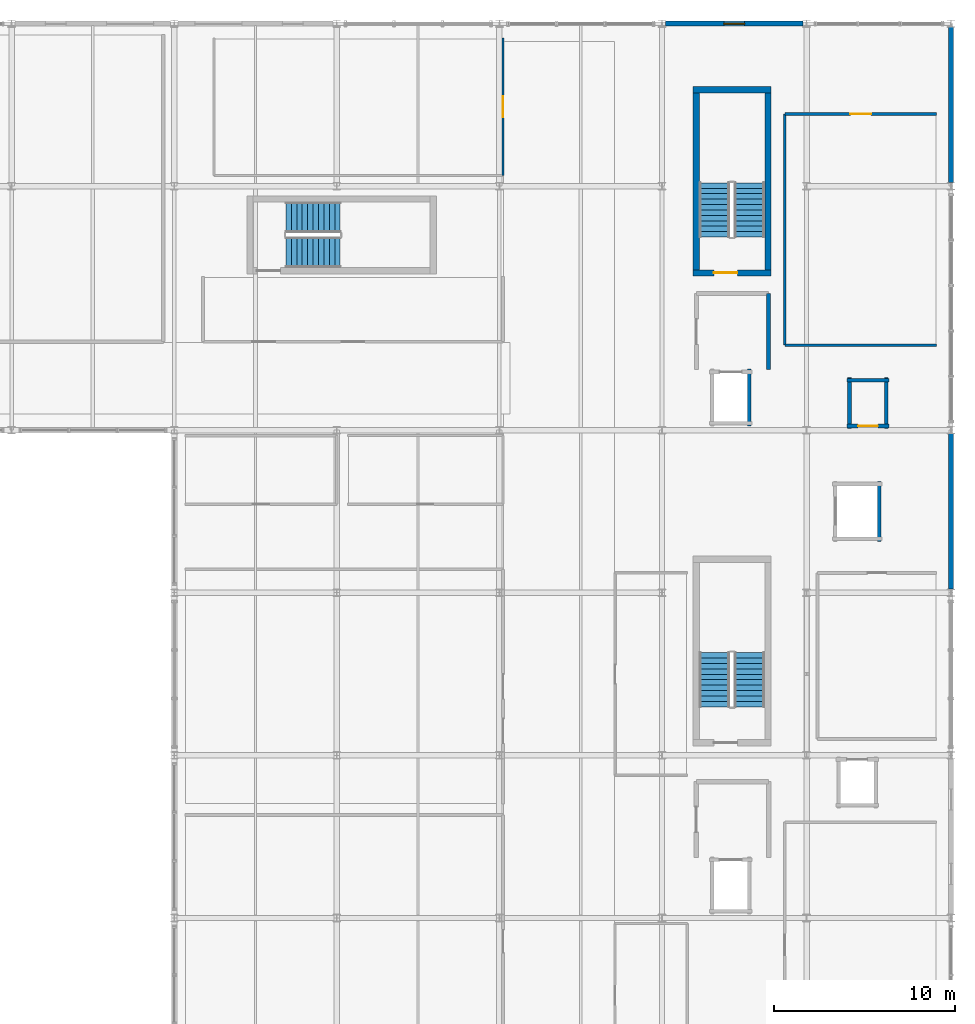
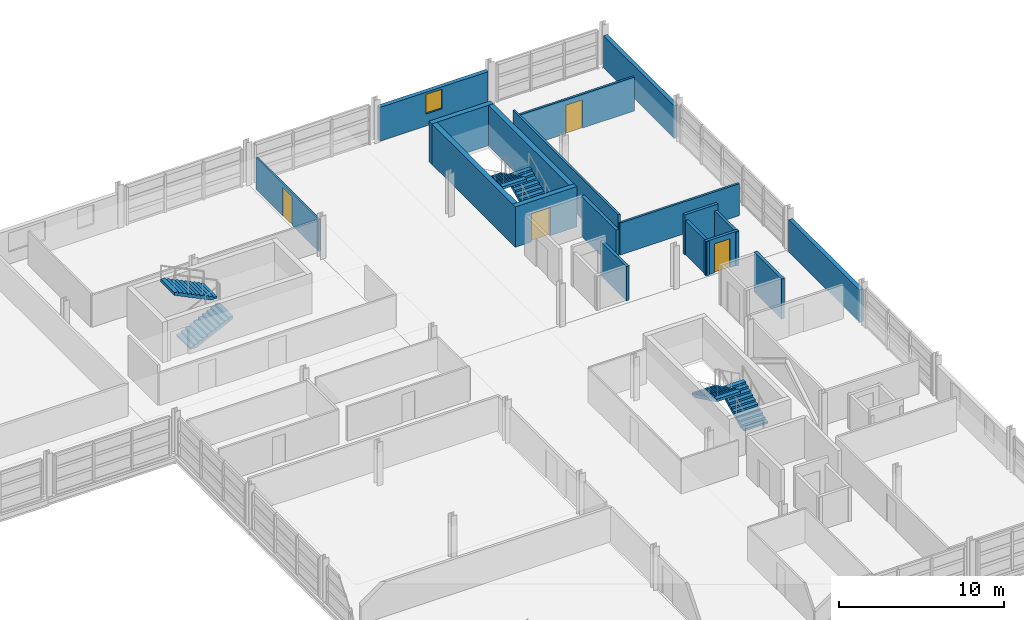
# One storey, part 80 of 86: 18 walls, 6 stair flights, 4 doors, 1 window, 5 openings, 3 elements without a shape of their own.
"""IFC4 building model written with IfcOpenShell, lengths in metres."""

from ifc_helpers import new_model, si_unit, direction, frame, frame_2d, origin, place, context, subcontext, project, spatial, polyline, rectangle, outline, extrude, material, layer, layer_set, type_object, element, fill, aggregate, save


model = new_model("IFC4")

# Units and contexts
model_context = context("Model", 3, precision=1e-05, world=origin(), true_north=direction((0.0, 1.0)))
body_context = subcontext(model_context, "Body", "Model", "MODEL_VIEW")
ifc_project = project(units=[si_unit("LENGTHUNIT", "METRE"), si_unit("AREAUNIT", "SQUARE_METRE"), si_unit("VOLUMEUNIT", "CUBIC_METRE"), si_unit("PLANEANGLEUNIT", "RADIAN"), si_unit("MASSUNIT", "GRAM", prefix="KILO")], contexts=[model_context])

# Site, building, storey
site_placement = place(None, origin())
site = spatial("IfcSite", under=ifc_project, at=site_placement, CompositionType="ELEMENT")
building_placement = place(site_placement, origin())
building = spatial("IfcBuilding", under=site, at=building_placement, Name="Chuanluo Vaults Station", CompositionType="ELEMENT")
storey_placement = place(building_placement, frame((0.0, 0.0, 14.39990234375)))
storey = spatial("IfcBuildingStorey", under=building, at=storey_placement, Name="L03", CompositionType="ELEMENT", Elevation=14.39990234375)

# Walls
ifc_material_1 = material(Name="Concrete C50", Category="concrete")
ifc_layer_1 = layer(ifc_material_1, 0.35009765625)
ifc_layer_set_1 = layer_set([ifc_layer_1], Name="Concrete C50")
wall_type_1 = type_object("IfcWallType", Name="WL-COR-350", PredefinedType="SHEAR", material=ifc_layer_set_1)
for number, where, z_axis, x_axis, name in (
    (1, (177.862548828125, 112.02490234375, 0.0), (0.0, 0.0, 1.0), (0.0, 1.0, 0.0), "Core K2 left shear wall"),
    (2, (173.892578125, 122.5224609375, 0.0), (0.0, 0.0, 1.0), (0.0, -1.0, 0.0), "Core K2 right shear wall"),
):
    element("IfcWall", number, at=place(storey_placement, frame(where, z_axis=z_axis, x_axis=x_axis)), inside=storey, type_object=wall_type_1, Name=name, PredefinedType="SHEAR", context=body_context, shape_type="SweptSolid", body=[
        extrude(rectangle(XDim=10.49755859375, YDim=0.35009765625, at=frame_2d((5.248779296875, 0.0))), origin(), (0.0, 0.0, 1.0), 3.0),
    ])
wall_1_placement = place(storey_placement, frame((178.03759765625, 122.347412109375, 0.0), z_axis=(0.0, 0.0, 1.0), x_axis=(-1.0, 0.0, 0.0)))
element("IfcWall", 3, at=wall_1_placement, inside=storey, type_object=wall_type_1, Name="Core K2 far shear wall", PredefinedType="SHEAR", context=body_context, shape_type="SweptSolid", body=[
    extrude(rectangle(XDim=4.320068359375, YDim=0.35009765625, at=frame_2d((2.16015625, 0.0))), origin(), (0.0, 0.0, 1.0), 3.0),
])

# Wall, opening, door
wall_2_placement = place(storey_placement, frame((173.717529296875, 112.199951171875, 0.0), z_axis=(0.0, 0.0, 1.0), x_axis=(1.0, 0.0, 0.0)))
wall_2 = element("IfcWall", 4, at=wall_2_placement, inside=storey, type_object=wall_type_1, Name="Core K2 near shear wall", PredefinedType="SHEAR", context=body_context, shape_type="SweptSolid", body=[
    extrude(rectangle(XDim=4.320068359375, YDim=0.35009765625, at=frame_2d((2.16015625, 0.0))), origin(), (0.0, 0.0, 1.0), 3.0),
])
opening_1_placement = place(wall_2_placement, frame((1.14990234375, 0.0, 0.0)))
opening_1 = element("IfcOpeningElement", 5, at=opening_1_placement, cuts=wall_2, Name="Opening FD-05", PredefinedType="OPENING", context=body_context, shape_type="SweptSolid", body=[
    extrude(rectangle(XDim=1.300048828125, YDim=2.10009765625, at=frame_2d((0.64990234375, 1.050048828125))), frame((0.0, 0.18505, 0.0), z_axis=(0.0, -1.0, 0.0), x_axis=(1.0, 0.0, 0.0)), (0.0, 0.0, 1.0), 0.3701),
])
ifc_material_2 = material(Name="Fire-rated steel leaf", Category="steel")
door_type_1 = type_object("IfcDoorType", Name="DR-FIR-1300x2100", OperationType="NOTDEFINED", PredefinedType="DOOR", material=ifc_material_2)
door_1_placement = place(opening_1_placement, origin())
door_1 = element("IfcDoor", 6, at=door_1_placement, inside=storey, type_object=door_type_1, Name="D-069 Stair ST-02 fire door", OperationType="SINGLE_SWING_RIGHT", OverallHeight=2.10009765625, OverallWidth=1.300048828125, PredefinedType="DOOR", context=body_context, shape_type="SweptSolid", body=[
    extrude(rectangle(XDim=1.300048828125, YDim=2.10009765625, at=frame_2d((0.64990234375, 1.050048828125))), frame((0.0, 0.02490234375, 0.0), z_axis=(0.0, -1.0, 0.0), x_axis=(1.0, 0.0, 0.0)), (0.0, 0.0, 1.0), 0.050048828125),
])
fill(opening_1, door_1)

# Wall, opening, window
ifc_material_3 = material(Name="Concrete C40", Category="concrete")
ifc_layer_2 = layer(ifc_material_3, 0.280029296875)
ifc_layer_set_2 = layer_set([ifc_layer_2], Name="Concrete C40")
wall_type_2 = type_object("IfcWallType", Name="WL-EXT-280", PredefinedType="SOLIDWALL", material=ifc_layer_set_2)
wall_3_placement = place(storey_placement, frame((172.199951171875, 126.0, 0.0), z_axis=(0.0, 0.0, 1.0), x_axis=(1.0, 0.0, 0.0)))
wall_3 = element("IfcWall", 7, at=wall_3_placement, inside=storey, type_object=wall_type_2, Name="L03 exterior punched wall 19", PredefinedType="SOLIDWALL", context=body_context, shape_type="SweptSolid", body=[
    extrude(rectangle(XDim=7.60009765625, YDim=0.280029296875, at=frame_2d((3.800048828125, 0.0))), origin(), (0.0, 0.0, 1.0), 2.51513671875),
])
opening_2_placement = place(wall_3_placement, frame((3.22509765625, 0.0, 0.89990234375)))
opening_2 = element("IfcOpeningElement", 8, at=opening_2_placement, cuts=wall_3, Name="Opening W-49", PredefinedType="OPENING", context=body_context, shape_type="SweptSolid", body=[
    extrude(rectangle(XDim=1.14990234375, YDim=1.449951171875, at=frame_2d((0.574951171875, 0.72509765625))), frame((0.0, 0.15014, 0.0), z_axis=(0.0, -1.0, 0.0), x_axis=(1.0, 0.0, 0.0)), (0.0, 0.0, 1.0), 0.30003),
])
ifc_material_4 = material(Name="Double-silver Low-E laminated glass", Category="glass")
window_type = type_object("IfcWindowType", Name="WN-OPS-1150x1450", PartitioningType="SINGLE_PANEL", PredefinedType="WINDOW", material=ifc_material_4)
window_placement = place(opening_2_placement, origin())
window = element("IfcWindow", 9, at=window_placement, inside=storey, type_object=window_type, Name="W-095 L03 facade window", OverallHeight=1.449951171875, OverallWidth=1.14990234375, PartitioningType="SINGLE_PANEL", PredefinedType="WINDOW", context=body_context, shape_type="SweptSolid", body=[
    extrude(rectangle(XDim=1.14990234375, YDim=1.449951171875, at=frame_2d((0.574951171875, 0.72509765625))), frame((0.0, 0.030029296875, 0.0), z_axis=(0.0, -1.0, 0.0), x_axis=(1.0, 0.0, 0.0)), (0.0, 0.0, 1.0), 0.06005859375),
])
fill(opening_2, window)

# Walls
for number, where, z_axis, x_axis, name in (
    (10, (188.0, 103.300048828125, 0.0), (0.0, 0.0, 1.0), (0.0, -1.0, 0.0), "L03 exterior punched wall 21"),
    (11, (188.0, 125.800048828125, 0.0), (0.0, 0.0, 1.0), (0.0, -1.0, 0.0), "L03 exterior punched wall 22"),
):
    element("IfcWall", number, at=place(storey_placement, frame(where, z_axis=z_axis, x_axis=x_axis)), inside=storey, type_object=wall_type_2, Name=name, PredefinedType="SOLIDWALL", context=body_context, shape_type="SweptSolid", body=[
        extrude(rectangle(XDim=8.60009765625, YDim=0.280029296875, at=frame_2d((4.300048828125, 0.0))), origin(), (0.0, 0.0, 1.0), 2.39501953125),
    ])
ifc_material_5 = material(Name="Concrete C40", Category="concrete")
ifc_layer_3 = layer(ifc_material_5, 0.219970703125)
ifc_layer_set_3 = layer_set([ifc_layer_3], Name="Concrete C40")
wall_type_3 = type_object("IfcWallType", Name="WL-FIR-220", PredefinedType="SOLIDWALL", material=ifc_layer_set_3)
wall_4_placement = place(storey_placement, frame((177.89990234375, 111.050048828125, 0.0), z_axis=(0.0, 0.0, 1.0), x_axis=(0.0, -1.0, 0.0)))
element("IfcWall", 12, at=wall_4_placement, inside=storey, type_object=wall_type_3, Name="L03-FFL-K2 Firefighting Lift Lobby FFL-02 L03 E partition", PredefinedType="SOLIDWALL", context=body_context, shape_type="SweptSolid", body=[
    extrude(rectangle(XDim=4.199951171875, YDim=0.219970703125, at=frame_2d((2.10009765625, 0.0))), origin(), (0.0, 0.0, 1.0), 2.97509765625),
])

# Wall, opening, door
ifc_material_6 = material(Name="Masonry blockwork M10", Category="masonry")
ifc_layer_4 = layer(ifc_material_6, 0.1201171875)
ifc_layer_set_4 = layer_set([ifc_layer_4], Name="Masonry blockwork M10")
wall_type_4 = type_object("IfcWallType", Name="WL-PRT-120", PredefinedType="PARTITIONING", material=ifc_layer_set_4)
wall_5_placement = place(storey_placement, frame((163.199951171875, 125.199951171875, 0.0), z_axis=(0.0, 0.0, 1.0), x_axis=(0.0, -1.0, 0.0)))
wall_5 = element("IfcWall", 13, at=wall_5_placement, inside=storey, type_object=wall_type_4, Name="L03-21 North Administration Annex E partition", PredefinedType="PARTITIONING", context=body_context, shape_type="SweptSolid", body=[
    extrude(rectangle(XDim=7.599853515625, YDim=0.1201171875, at=frame_2d((3.7998046875, 0.0))), origin(), (0.0, 0.0, 1.0), 2.375),
])
opening_3_placement = place(wall_5_placement, frame((3.22509765625, 0.0, 0.0)))
opening_3 = element("IfcOpeningElement", 14, at=opening_3_placement, cuts=wall_5, Name="Opening D-I06", PredefinedType="OPENING", context=body_context, shape_type="SweptSolid", body=[
    extrude(rectangle(XDim=1.14990234375, YDim=2.10009765625, at=frame_2d((0.574951171875, 1.050048828125))), frame((0.0, 0.07006, 0.0), z_axis=(0.0, -1.0, 0.0), x_axis=(1.0, 0.0, 0.0)), (0.0, 0.0, 1.0), 0.14012),
])
ifc_material_7 = material(Name="Anodised aluminium 6063-T6", Category="aluminium")
door_type_2 = type_object("IfcDoorType", Name="DR-INT-1150x2100", OperationType="NOTDEFINED", PredefinedType="DOOR", material=ifc_material_7)
door_2_placement = place(opening_3_placement, origin())
door_2 = element("IfcDoor", 15, at=door_2_placement, inside=storey, type_object=door_type_2, Name="D-236 North Administration Annex door", OperationType="SINGLE_SWING_LEFT", OverallHeight=2.10009765625, OverallWidth=1.14990234375, PredefinedType="DOOR", context=body_context, shape_type="SweptSolid", body=[
    extrude(rectangle(XDim=1.14990234375, YDim=2.10009765625, at=frame_2d((0.574951171875, 1.050048828125))), frame((0.0, 0.02490234375, 0.0), z_axis=(0.0, -1.0, 0.0), x_axis=(1.0, 0.0, 0.0)), (0.0, 0.0, 1.0), 0.050048828125),
])
fill(opening_3, door_2)

# Wall
ifc_material_8 = material(Name="Autoclaved aerated concrete blockwork MU10", Category="masonry")
ifc_layer_5 = layer(ifc_material_8, 0.14990234375)
ifc_layer_set_5 = layer_set([ifc_layer_5], Name="Autoclaved aerated concrete blockwork MU10")
wall_type_5 = type_object("IfcWallType", Name="WL-PRT-150", PredefinedType="PARTITIONING", material=ifc_layer_set_5)
wall_6_placement = place(storey_placement, frame((187.199951171875, 108.199951171875, 0.0), z_axis=(0.0, 0.0, 1.0), x_axis=(-1.0, 0.0, 0.0)))
element("IfcWall", 16, at=wall_6_placement, inside=storey, type_object=wall_type_5, Name="L03-19 East Signalling Office S partition", PredefinedType="PARTITIONING", context=body_context, shape_type="SweptSolid", body=[
    extrude(rectangle(XDim=8.39990234375, YDim=0.14990234375, at=frame_2d((4.199951171875, 0.0))), origin(), (0.0, 0.0, 1.0), 2.375),
])

# Wall, opening, door
wall_7_placement = place(storey_placement, frame((178.800048828125, 121.0, 0.0), z_axis=(0.0, 0.0, 1.0), x_axis=(1.0, 0.0, 0.0)))
wall_7 = element("IfcWall", 17, at=wall_7_placement, inside=storey, type_object=wall_type_5, Name="L03-19 East Signalling Office N partition", PredefinedType="PARTITIONING", context=body_context, shape_type="SweptSolid", body=[
    extrude(rectangle(XDim=8.39990234375, YDim=0.14990234375, at=frame_2d((4.199951171875, 0.0))), origin(), (0.0, 0.0, 1.0), 2.51513671875),
])
opening_4_placement = place(wall_7_placement, frame((3.625, 0.0, 0.0)))
opening_4 = element("IfcOpeningElement", 18, at=opening_4_placement, cuts=wall_7, Name="Opening D-I06", PredefinedType="OPENING", context=body_context, shape_type="SweptSolid", body=[
    extrude(rectangle(XDim=1.14990234375, YDim=2.10009765625, at=frame_2d((0.574951171875, 1.050048828125))), frame((0.0, 0.08495, 0.0), z_axis=(0.0, -1.0, 0.0), x_axis=(1.0, 0.0, 0.0)), (0.0, 0.0, 1.0), 0.1699),
])
door_3_placement = place(opening_4_placement, origin())
door_3 = element("IfcDoor", 19, at=door_3_placement, inside=storey, type_object=door_type_2, Name="D-234 East Signalling Office door", OperationType="SINGLE_SWING_LEFT", OverallHeight=2.10009765625, OverallWidth=1.14990234375, PredefinedType="DOOR", context=body_context, shape_type="SweptSolid", body=[
    extrude(rectangle(XDim=1.14990234375, YDim=2.10009765625, at=frame_2d((0.574951171875, 1.050048828125))), frame((0.0, 0.02490234375, 0.0), z_axis=(0.0, -1.0, 0.0), x_axis=(1.0, 0.0, 0.0)), (0.0, 0.0, 1.0), 0.050048828125),
])
fill(opening_4, door_3)

# Walls
wall_8_placement = place(storey_placement, frame((178.800048828125, 108.199951171875, 0.0), z_axis=(0.0, 0.0, 1.0), x_axis=(0.0, 1.0, 0.0)))
element("IfcWall", 20, at=wall_8_placement, inside=storey, type_object=wall_type_5, Name="L03-19 East Signalling Office W partition", PredefinedType="PARTITIONING", context=body_context, shape_type="SweptSolid", body=[
    extrude(rectangle(XDim=12.800048828125, YDim=0.14990234375, at=frame_2d((6.39990234375, 0.0))), origin(), (0.0, 0.0, 1.0), 2.97509765625),
])
ifc_material_9 = material(Name="Concrete C40", Category="concrete")
ifc_layer_6 = layer(ifc_material_9, 0.199951171875)
ifc_layer_set_6 = layer_set([ifc_layer_6], Name="Concrete C40")
wall_type_6 = type_object("IfcWallType", Name="WL-SHF-200", PredefinedType="SOLIDWALL", material=ifc_layer_set_6)
wall_9_placement = place(storey_placement, frame((176.820068359375, 103.72998046875, 0.0), z_axis=(0.0, 0.0, 1.0), x_axis=(0.0, 1.0, 0.0)))
element("IfcWall", 21, at=wall_9_placement, inside=storey, type_object=wall_type_6, Name="Lift FFL-02 shaft wall L03 +X", PredefinedType="SOLIDWALL", context=body_context, shape_type="SweptSolid", body=[
    extrude(rectangle(XDim=3.14013671875, YDim=0.199951171875, at=frame_2d((1.570068359375, 0.0))), origin(), (0.0, 0.0, 1.0), 2.53515625),
])

# Wall, opening, door
wall_10_placement = place(storey_placement, frame((182.22998046875, 103.72998046875, 0.0), z_axis=(0.0, 0.0, 1.0), x_axis=(1.0, 0.0, 0.0)))
wall_10 = element("IfcWall", 22, at=wall_10_placement, inside=storey, type_object=wall_type_6, Name="Lift EL-04 shaft wall L03 -Y", PredefinedType="SOLIDWALL", context=body_context, shape_type="SweptSolid", body=[
    extrude(rectangle(XDim=2.340087890625, YDim=0.199951171875, at=frame_2d((1.169921875, 0.0))), origin(), (0.0, 0.0, 1.0), 2.53515625),
])
opening_5_placement = place(wall_10_placement, frame((0.6201171875, 0.0, 0.0)))
opening_5 = element("IfcOpeningElement", 23, at=opening_5_placement, cuts=wall_10, Name="Opening LD-01", PredefinedType="OPENING", context=body_context, shape_type="SweptSolid", body=[
    extrude(rectangle(XDim=1.10009765625, YDim=2.14990234375, at=frame_2d((0.550048828125, 1.074951171875))), frame((0.0, 0.1101, 0.0), z_axis=(0.0, -1.0, 0.0), x_axis=(1.0, 0.0, 0.0)), (0.0, 0.0, 1.0), 0.21995),
])
ifc_material_10 = material(Name="Brushed stainless steel 304", Category="steel")
door_type_3 = type_object("IfcDoorType", Name="DR-LFT-1100x2150", OperationType="SLIDING_TO_LEFT", PredefinedType="DOOR", material=ifc_material_10)
door_4_placement = place(opening_5_placement, origin())
door_4 = element("IfcDoor", 24, at=door_4_placement, inside=storey, type_object=door_type_3, Name="LD-EL-04-05 Lift EL-04 sliding landing door L03", OperationType="SLIDING_TO_LEFT", OverallHeight=2.14990234375, OverallWidth=1.10009765625, PredefinedType="DOOR", context=body_context, shape_type="SweptSolid", body=[
    extrude(rectangle(XDim=1.10009765625, YDim=2.14990234375, at=frame_2d((0.550048828125, 1.074951171875))), frame((0.0, 0.02490234375, 0.0), z_axis=(0.0, -1.0, 0.0), x_axis=(1.0, 0.0, 0.0)), (0.0, 0.0, 1.0), 0.050048828125),
])
fill(opening_5, door_4)

# Walls
wall_11_placement = place(storey_placement, frame((184.570068359375, 106.27001953125, 0.0), z_axis=(0.0, 0.0, 1.0), x_axis=(-1.0, 0.0, 0.0)))
element("IfcWall", 25, at=wall_11_placement, inside=storey, type_object=wall_type_6, Name="Lift EL-04 shaft wall L03 +Y", PredefinedType="SOLIDWALL", context=body_context, shape_type="SweptSolid", body=[
    extrude(rectangle(XDim=2.340087890625, YDim=0.199951171875, at=frame_2d((1.169921875, 0.0))), origin(), (0.0, 0.0, 1.0), 2.97509765625),
])
for number, where, z_axis, x_axis, name in (
    (26, (182.3798828125, 106.419921875, 0.0), (0.0, 0.0, 1.0), (0.0, -1.0, 0.0), "Lift EL-04 shaft wall L03 -X"),
    (27, (184.419921875, 103.580078125, 0.0), (0.0, 0.0, 1.0), (0.0, 1.0, 0.0), "Lift EL-04 shaft wall L03 +X"),
):
    element("IfcWall", number, at=place(storey_placement, frame(where, z_axis=z_axis, x_axis=x_axis)), inside=storey, type_object=wall_type_6, Name=name, PredefinedType="SOLIDWALL", context=body_context, shape_type="SweptSolid", body=[
        extrude(rectangle(XDim=2.83984375, YDim=0.199951171875, at=frame_2d((1.419921875, 0.0))), origin(), (0.0, 0.0, 1.0), 2.53515625),
    ])
wall_12_placement = place(storey_placement, frame((184.02001953125, 97.330078125, 0.0), z_axis=(0.0, 0.0, 1.0), x_axis=(0.0, 1.0, 0.0)))
element("IfcWall", 28, at=wall_12_placement, inside=storey, type_object=wall_type_6, Name="Lift GL-02 shaft wall L03 +X", PredefinedType="SOLIDWALL", context=body_context, shape_type="SweptSolid", body=[
    extrude(rectangle(XDim=3.33984375, YDim=0.199951171875, at=frame_2d((1.669921875, 0.0))), origin(), (0.0, 0.0, 1.0), 2.97509765625),
])

# Stair, stair flights
ifc_material_11 = material(Name="Concrete C40", Category="concrete")
stair_type = type_object("IfcStairType", Name="STR-TWO-1600", PredefinedType="HALF_TURN_STAIR", material=ifc_material_11)
stair_1_placement = place(storey_placement, origin())
stair_1 = element("IfcStair", 29, at=stair_1_placement, inside=storey, type_object=stair_type, Name="L03 ST-01", PredefinedType="HALF_TURN_STAIR")
ifc_material_12 = material(Name="Concrete C40", Category="concrete")
stair_flight_type = type_object("IfcStairFlightType", Name="SFL-STR-1600", PredefinedType="STRAIGHT", material=ifc_material_12)
stair_flight_1_placement = place(storey_placement, frame((176.844970703125, 88.1875, 0.0), z_axis=(0.0, 0.0, 1.0), x_axis=(0.0, 1.0, 0.0)))
stair_flight_1 = element("IfcStairFlight", 30, at=stair_flight_1_placement, type_object=stair_flight_type, Name="ST-01 flight 1", NumberOfRisers=11, NumberOfTreads=10, PredefinedType="STRAIGHT", RiserHeight=0.145454545, TreadLength=0.3, context=body_context, shape_type="SweptSolid", body=[
    extrude(outline(polyline([(0.0, 0.0), (0.0, 0.1455078125), (0.300048828125, 0.1455078125), (0.300048828125, 0.291015625), (0.60009765625, 0.291015625), (0.60009765625, 0.436279296875), (0.89990234375, 0.436279296875), (0.89990234375, 0.581787109375), (1.199951171875, 0.581787109375), (1.199951171875, 0.727294921875), (1.5, 0.727294921875), (1.5, 0.872802734375), (1.800048828125, 0.872802734375), (1.800048828125, 1.01806640625), (2.10009765625, 1.01806640625), (2.10009765625, 1.16357421875), (2.39990234375, 1.16357421875), (2.39990234375, 1.30908203125), (2.699951171875, 1.30908203125), (2.699951171875, 1.45458984375), (3.0, 1.45458984375), (3.0, 1.60009765625), (3.0, 1.254638671875), (0.412353515625, 0.0), (0.0, 0.0)])), frame((0.0, 0.842529296875, 0.0), z_axis=(0.0, -1.0, 0.0), x_axis=(1.0, 0.0, 0.0)), (0.0, 0.0, 1.0), 1.68505859375),
])
stair_flight_2_placement = place(storey_placement, frame((174.909912109375, 91.1875, 1.60009765625), z_axis=(0.0, 0.0, 1.0), x_axis=(0.0, -1.0, 0.0)))
stair_flight_2 = element("IfcStairFlight", 31, at=stair_flight_2_placement, type_object=stair_flight_type, Name="ST-01 flight 2", NumberOfRisers=11, NumberOfTreads=10, PredefinedType="STRAIGHT", RiserHeight=0.145454545, TreadLength=0.3, context=body_context, shape_type="SweptSolid", body=[
    extrude(outline(polyline([(0.0, 0.0), (0.0, 0.1455078125), (0.300048828125, 0.1455078125), (0.300048828125, 0.291015625), (0.60009765625, 0.291015625), (0.60009765625, 0.436279296875), (0.89990234375, 0.436279296875), (0.89990234375, 0.581787109375), (1.199951171875, 0.581787109375), (1.199951171875, 0.727294921875), (1.5, 0.727294921875), (1.5, 0.872802734375), (1.800048828125, 0.872802734375), (1.800048828125, 1.01806640625), (2.10009765625, 1.01806640625), (2.10009765625, 1.16357421875), (2.39990234375, 1.16357421875), (2.39990234375, 1.30908203125), (2.699951171875, 1.30908203125), (2.699951171875, 1.45458984375), (3.0, 1.45458984375), (3.0, 1.60009765625), (3.0, 1.254638671875), (0.412353515625, 0.0), (0.0, 0.0)])), frame((0.0, 0.842529296875, 0.0), z_axis=(0.0, -1.0, 0.0), x_axis=(1.0, 0.0, 0.0)), (0.0, 0.0, 1.0), 1.68505859375),
])
aggregate(stair_1, [stair_flight_1, stair_flight_2])

stair_2_placement = place(storey_placement, origin())
stair_2 = element("IfcStair", 32, at=stair_2_placement, inside=storey, type_object=stair_type, Name="L03 ST-02", PredefinedType="HALF_TURN_STAIR")
stair_flight_3_placement = place(storey_placement, frame((176.844970703125, 114.1875, 0.0), z_axis=(0.0, 0.0, 1.0), x_axis=(0.0, 1.0, 0.0)))
stair_flight_3 = element("IfcStairFlight", 33, at=stair_flight_3_placement, type_object=stair_flight_type, Name="ST-02 flight 1", NumberOfRisers=11, NumberOfTreads=10, PredefinedType="STRAIGHT", RiserHeight=0.145454545, TreadLength=0.3, context=body_context, shape_type="SweptSolid", body=[
    extrude(outline(polyline([(0.0, 0.0), (0.0, 0.1455078125), (0.300048828125, 0.1455078125), (0.300048828125, 0.291015625), (0.60009765625, 0.291015625), (0.60009765625, 0.436279296875), (0.89990234375, 0.436279296875), (0.89990234375, 0.581787109375), (1.199951171875, 0.581787109375), (1.199951171875, 0.727294921875), (1.5, 0.727294921875), (1.5, 0.872802734375), (1.800048828125, 0.872802734375), (1.800048828125, 1.01806640625), (2.10009765625, 1.01806640625), (2.10009765625, 1.16357421875), (2.39990234375, 1.16357421875), (2.39990234375, 1.30908203125), (2.699951171875, 1.30908203125), (2.699951171875, 1.45458984375), (3.0, 1.45458984375), (3.0, 1.60009765625), (3.0, 1.254638671875), (0.412353515625, 0.0), (0.0, 0.0)])), frame((0.0, 0.842529296875, 0.0), z_axis=(0.0, -1.0, 0.0), x_axis=(1.0, 0.0, 0.0)), (0.0, 0.0, 1.0), 1.68505859375),
])
stair_flight_4_placement = place(storey_placement, frame((174.909912109375, 117.1875, 1.60009765625), z_axis=(0.0, 0.0, 1.0), x_axis=(0.0, -1.0, 0.0)))
stair_flight_4 = element("IfcStairFlight", 34, at=stair_flight_4_placement, type_object=stair_flight_type, Name="ST-02 flight 2", NumberOfRisers=11, NumberOfTreads=10, PredefinedType="STRAIGHT", RiserHeight=0.145454545, TreadLength=0.3, context=body_context, shape_type="SweptSolid", body=[
    extrude(outline(polyline([(0.0, 0.0), (0.0, 0.1455078125), (0.300048828125, 0.1455078125), (0.300048828125, 0.291015625), (0.60009765625, 0.291015625), (0.60009765625, 0.436279296875), (0.89990234375, 0.436279296875), (0.89990234375, 0.581787109375), (1.199951171875, 0.581787109375), (1.199951171875, 0.727294921875), (1.5, 0.727294921875), (1.5, 0.872802734375), (1.800048828125, 0.872802734375), (1.800048828125, 1.01806640625), (2.10009765625, 1.01806640625), (2.10009765625, 1.16357421875), (2.39990234375, 1.16357421875), (2.39990234375, 1.30908203125), (2.699951171875, 1.30908203125), (2.699951171875, 1.45458984375), (3.0, 1.45458984375), (3.0, 1.60009765625), (3.0, 1.254638671875), (0.412353515625, 0.0), (0.0, 0.0)])), frame((0.0, 0.842529296875, 0.0), z_axis=(0.0, -1.0, 0.0), x_axis=(1.0, 0.0, 0.0)), (0.0, 0.0, 1.0), 1.68505859375),
])
aggregate(stair_2, [stair_flight_3, stair_flight_4])

stair_3_placement = place(storey_placement, origin())
stair_3 = element("IfcStair", 35, at=stair_3_placement, inside=storey, type_object=stair_type, Name="L03 ST-03", PredefinedType="HALF_TURN_STAIR")
stair_flight_5_placement = place(storey_placement, frame((151.1875, 113.342529296875, 0.0), z_axis=(0.0, 0.0, 1.0), x_axis=(1.0, 0.0, 0.0)))
stair_flight_5 = element("IfcStairFlight", 36, at=stair_flight_5_placement, type_object=stair_flight_type, Name="ST-03 flight 1", NumberOfRisers=11, NumberOfTreads=10, PredefinedType="STRAIGHT", RiserHeight=0.145454545, TreadLength=0.3, context=body_context, shape_type="SweptSolid", body=[
    extrude(outline(polyline([(0.0, 0.0), (0.0, 0.1455078125), (0.300048828125, 0.1455078125), (0.300048828125, 0.291015625), (0.60009765625, 0.291015625), (0.60009765625, 0.436279296875), (0.89990234375, 0.436279296875), (0.89990234375, 0.581787109375), (1.199951171875, 0.581787109375), (1.199951171875, 0.727294921875), (1.5, 0.727294921875), (1.5, 0.872802734375), (1.800048828125, 0.872802734375), (1.800048828125, 1.01806640625), (2.10009765625, 1.01806640625), (2.10009765625, 1.16357421875), (2.39990234375, 1.16357421875), (2.39990234375, 1.30908203125), (2.699951171875, 1.30908203125), (2.699951171875, 1.45458984375), (3.0, 1.45458984375), (3.0, 1.60009765625), (3.0, 1.254638671875), (0.412353515625, 0.0), (0.0, 0.0)])), frame((0.0, 0.842529296875, 0.0), z_axis=(0.0, -1.0, 0.0), x_axis=(1.0, 0.0, 0.0)), (0.0, 0.0, 1.0), 1.68505859375),
])
stair_flight_6_placement = place(storey_placement, frame((154.1875, 115.277587890625, 1.60009765625), z_axis=(0.0, 0.0, 1.0), x_axis=(-1.0, 0.0, 0.0)))
stair_flight_6 = element("IfcStairFlight", 37, at=stair_flight_6_placement, type_object=stair_flight_type, Name="ST-03 flight 2", NumberOfRisers=11, NumberOfTreads=10, PredefinedType="STRAIGHT", RiserHeight=0.145454545, TreadLength=0.3, context=body_context, shape_type="SweptSolid", body=[
    extrude(outline(polyline([(0.0, 0.0), (0.0, 0.1455078125), (0.300048828125, 0.1455078125), (0.300048828125, 0.291015625), (0.60009765625, 0.291015625), (0.60009765625, 0.436279296875), (0.89990234375, 0.436279296875), (0.89990234375, 0.581787109375), (1.199951171875, 0.581787109375), (1.199951171875, 0.727294921875), (1.5, 0.727294921875), (1.5, 0.872802734375), (1.800048828125, 0.872802734375), (1.800048828125, 1.01806640625), (2.10009765625, 1.01806640625), (2.10009765625, 1.16357421875), (2.39990234375, 1.16357421875), (2.39990234375, 1.30908203125), (2.699951171875, 1.30908203125), (2.699951171875, 1.45458984375), (3.0, 1.45458984375), (3.0, 1.60009765625), (3.0, 1.254638671875), (0.412353515625, 0.0), (0.0, 0.0)])), frame((0.0, 0.842529296875, 0.0), z_axis=(0.0, -1.0, 0.0), x_axis=(1.0, 0.0, 0.0)), (0.0, 0.0, 1.0), 1.68505859375),
])
aggregate(stair_3, [stair_flight_5, stair_flight_6])

save(model, "model.ifc")
